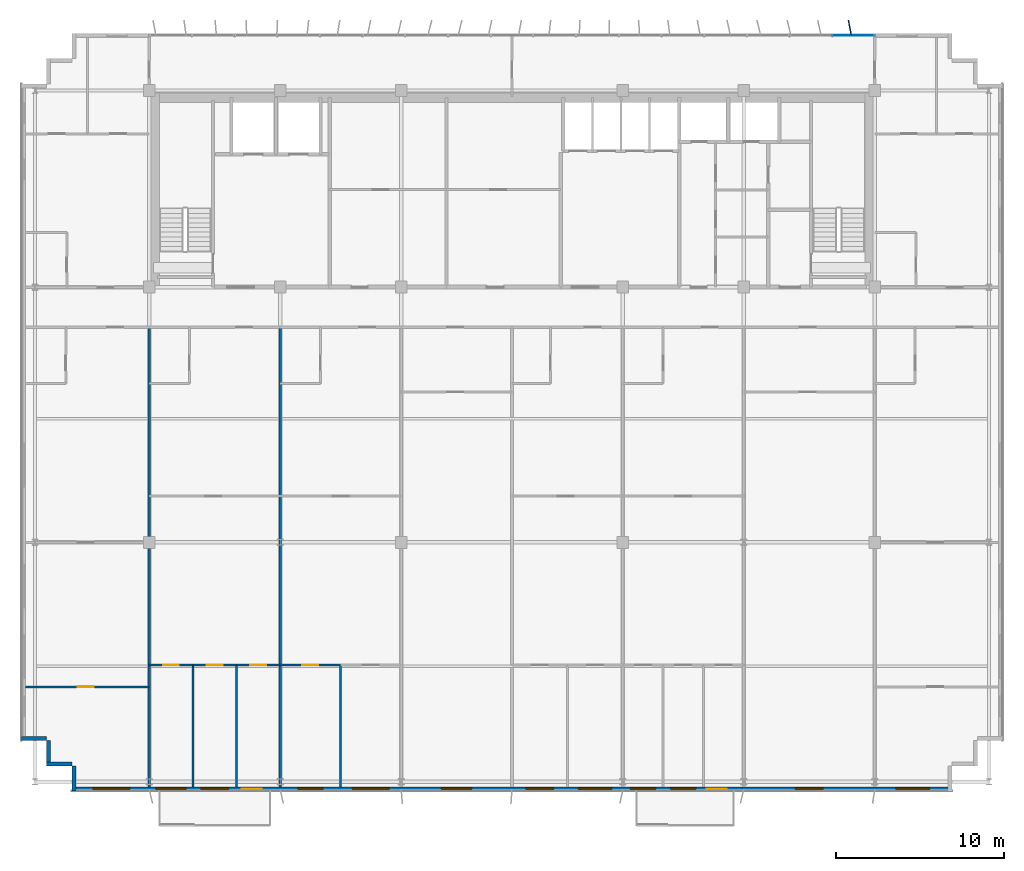
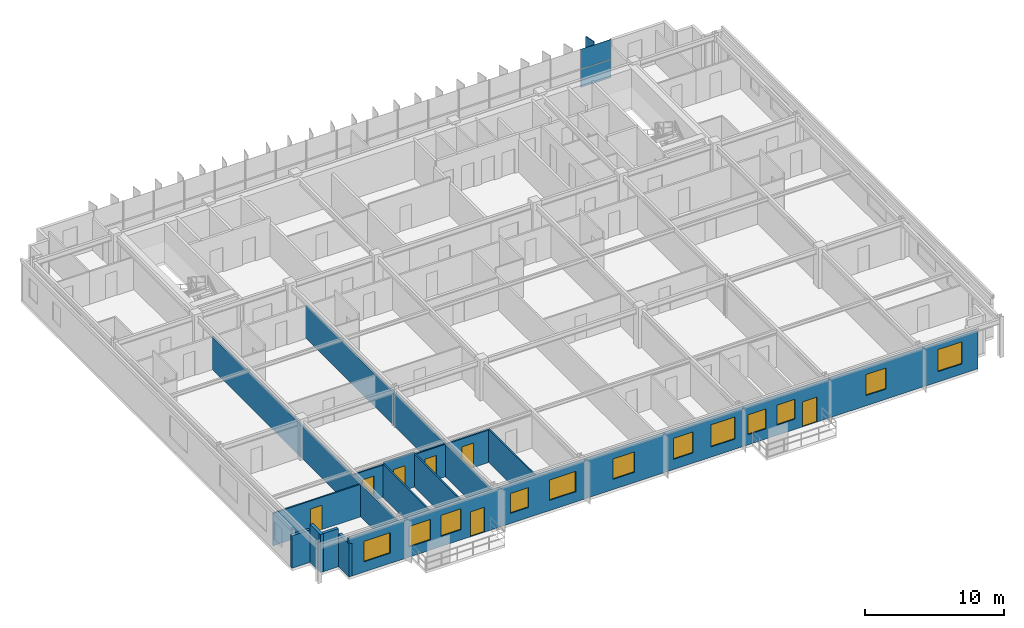
# One storey, part 16 of 23: 15 walls, 12 windows, 7 doors, 3 plates, 19 openings, 1 element without a shape of its own.
"""IFC4 building model written with IfcOpenShell, lengths in metres."""

from ifc_helpers import new_model, si_unit, direction, frame, frame_2d, origin, origin_2d, place, context, subcontext, project, spatial, rectangle, extrude, source, transform, mapped, material, layer, layer_set, type_object, element, fill, aggregate, save


model = new_model("IFC4")

# Units and contexts
model_context = context("Model", 3, precision=1e-05, world=origin(), true_north=direction((0.0, 1.0)))
body_context = subcontext(model_context, "Body", "Model", "MODEL_VIEW")
ifc_project = project(units=[si_unit("LENGTHUNIT", "METRE"), si_unit("AREAUNIT", "SQUARE_METRE"), si_unit("VOLUMEUNIT", "CUBIC_METRE"), si_unit("PLANEANGLEUNIT", "RADIAN"), si_unit("MASSUNIT", "GRAM", prefix="KILO")], contexts=[model_context])

# Site, building, storey
site_placement = place(None, origin())
site = spatial("IfcSite", under=ifc_project, at=site_placement, CompositionType="ELEMENT")
building_placement = place(site_placement, origin())
building = spatial("IfcBuilding", under=site, at=building_placement, Name="Trelvane Seafront Commons", CompositionType="ELEMENT")
storey_placement = place(building_placement, frame((0.0, 0.0, 222.89990234375)))
storey = spatial("IfcBuildingStorey", under=building, at=storey_placement, Name="L58", CompositionType="ELEMENT", Elevation=222.89990234375)

# Plate
ifc_material_1 = material(Name="Anodised pale-silver aluminium", Category="aluminium")
ifc_layer_1 = layer(ifc_material_1, 0.06005859375, Name="ARCH-PLATE-FIN900")
ifc_layer_set_1 = layer_set([ifc_layer_1], Name="Anodised pale-silver aluminium")
plate_type_1 = type_object("IfcPlateType", Name="ARCH-PLATE-FIN900", PredefinedType="USERDEFINED", material=ifc_layer_set_1)
shared_shape_1 = source(origin(), body_context, "Body", "SweptSolid", [
    extrude(rectangle(XDim=0.89990234375, YDim=0.06005859375, at=origin_2d()), origin(), (0.0, 0.0, 1.0), 3.639892578125),
])
plate_1_placement = place(storey_placement, frame((57.31396484375, 48.841796875, -0.02001953125), z_axis=(0.0, 0.0, 1.0), x_axis=(-0.191220161658, 0.981547171447, 0.0)))
element("IfcPlate", 1, at=plate_1_placement, inside=storey, type_object=plate_type_1, Name="FIN-L58-01627", ObjectType="FIN", PredefinedType="USERDEFINED", context=body_context, shape_type="MappedRepresentation", body=[
    mapped(shared_shape_1, transform((0.0, 0.0, 0.0), x_axis=(1.0, 0.0, 0.0), y_axis=(0.0, 1.0, 0.0), z_axis=(0.0, 0.0, 1.0), scale=1.0)),
])

# Curtain wall, plates
curtain_wall_type = type_object("IfcCurtainWallType", Name="ARCH-CW5-UPTOWER", PredefinedType="NOTDEFINED", material=ifc_material_1)
curtain_wall_placement = place(storey_placement, origin())
curtain_wall = element("IfcCurtainWall", 2, at=curtain_wall_placement, inside=storey, type_object=curtain_wall_type, Name="CW-L58-0101", PredefinedType="NOTDEFINED")
ifc_material_2 = material(Name="Low-E coastal double glazing", Category="glass")
ifc_layer_2 = layer(ifc_material_2, 0.033935546875, Name="ARCH-CW-GLAZ-34")
ifc_layer_set_2 = layer_set([ifc_layer_2], Name="Low-E coastal double glazing")
plate_type_2 = type_object("IfcPlateType", Name="ARCH-CW-GLAZ-34", PredefinedType="CURTAIN_PANEL", material=ifc_layer_set_2)
shared_shape_2 = source(origin(), body_context, "Body", "SweptSolid", [
    extrude(rectangle(XDim=2.51708984375, YDim=0.033935546875, at=origin_2d()), origin(), (0.0, 0.0, 1.0), 1.594970703125),
])
plate_2_placement = place(storey_placement, frame((57.529296875, 48.3701171875, 0.0), z_axis=(0.0, 0.0, 1.0), x_axis=(1.0, 0.0, 0.0)))
plate_2 = element("IfcPlate", 3, at=plate_2_placement, type_object=plate_type_2, Name="CW-L58-0101-P16-1", PredefinedType="CURTAIN_PANEL", context=body_context, shape_type="MappedRepresentation", body=[
    mapped(shared_shape_2, transform((0.0, 0.0, 0.0), x_axis=(1.0, 0.0, 0.0), y_axis=(0.0, 1.0, 0.0), z_axis=(0.0, 0.0, 1.0), scale=1.0)),
])
shared_shape_3 = source(origin(), body_context, "Body", "SweptSolid", [
    extrude(rectangle(XDim=2.51708984375, YDim=0.033935546875, at=origin_2d()), origin(), (0.0, 0.0, 1.0), 1.72900390625),
])
plate_3_placement = place(storey_placement, frame((57.529296875, 48.3701171875, 1.631103515625), z_axis=(0.0, 0.0, 1.0), x_axis=(1.0, 0.0, 0.0)))
plate_3 = element("IfcPlate", 4, at=plate_3_placement, type_object=plate_type_2, Name="CW-L58-0101-P16-2", PredefinedType="CURTAIN_PANEL", context=body_context, shape_type="MappedRepresentation", body=[
    mapped(shared_shape_3, transform((0.0, 0.0, 0.0), x_axis=(1.0, 0.0, 0.0), y_axis=(0.0, 1.0, 0.0), z_axis=(0.0, 0.0, 1.0), scale=1.0)),
])
aggregate(curtain_wall, [plate_2, plate_3])

# Walls
ifc_material_3 = material(Name="Precast concrete C40/50", Category="concrete")
ifc_layer_3 = layer(ifc_material_3, 0.239990234375, Name="ARCH-WALL-EXT240")
ifc_layer_set_3 = layer_set([ifc_layer_3], Name="Precast concrete C40/50")
wall_type_1 = type_object("IfcWallType", Name="ARCH-WALL-EXT240", PredefinedType="SOLIDWALL", material=ifc_layer_set_3)
for number, where, z_axis, x_axis, name in (
    (5, (11.0, 5.02001953125, 0.0), (0.0, 0.0, 1.0), (-1.0, 0.0, 0.0), "EW-L58-01164"),
    (6, (9.6201171875, 4.89990234375, 0.0), (0.0, 0.0, 1.0), (0.0, 1.0, 0.0), "EW-L58-01165"),
):
    element("IfcWall", number, at=place(storey_placement, frame(where, z_axis=z_axis, x_axis=x_axis)), inside=storey, type_object=wall_type_1, Name=name, PredefinedType="SOLIDWALL", context=body_context, shape_type="SweptSolid", body=[
        extrude(rectangle(XDim=1.5, YDim=0.239990234375, at=frame_2d((0.75, 0.0))), origin(), (0.0, 0.0, 1.0), 3.360107421875),
    ])
wall_1_placement = place(storey_placement, frame((9.5, 6.52001953125, 0.0), z_axis=(0.0, 0.0, 1.0), x_axis=(-1.0, 0.0, 0.0)))
element("IfcWall", 7, at=wall_1_placement, inside=storey, type_object=wall_type_1, Name="EW-L58-01166", PredefinedType="SOLIDWALL", context=body_context, shape_type="SweptSolid", body=[
    extrude(rectangle(XDim=1.5, YDim=0.239990234375, at=frame_2d((0.75, 0.0))), origin(), (0.0, 0.0, 1.0), 2.860107421875),
])

# Wall, openings, doors, windows
wall_2_placement = place(storey_placement, frame((63.39990234375, 3.52001953125, 0.0), z_axis=(0.0, 0.0, 1.0), x_axis=(-1.0, 0.0, 0.0)))
wall_2 = element("IfcWall", 8, at=wall_2_placement, inside=storey, type_object=wall_type_1, Name="EW-L58-01181", PredefinedType="SOLIDWALL", context=body_context, shape_type="SweptSolid", body=[
    extrude(rectangle(XDim=52.39990234375, YDim=0.239990234375, at=frame_2d((26.199951171875, 0.0))), origin(), (0.0, 0.0, 1.0), 3.360107421875),
])
opening_1_placement = place(wall_2_placement, frame((1.344970703125, 0.0, 0.89990234375)))
opening_1 = element("IfcOpeningElement", 9, at=opening_1_placement, cuts=wall_2, Name="Opening W06", PredefinedType="OPENING", context=body_context, shape_type="SweptSolid", body=[
    extrude(rectangle(XDim=2.0, YDim=1.949951171875, at=frame_2d((1.0, 0.97509765625))), frame((0.0, 0.1298828125, 0.0), z_axis=(0.0, -1.0, 0.0), x_axis=(1.0, 0.0, 0.0)), (0.0, 0.0, 1.0), 0.260009765625),
])
opening_2_placement = place(wall_2_placement, frame((7.675048828125, 0.0, 0.89990234375)))
opening_2 = element("IfcOpeningElement", 10, at=opening_2_placement, cuts=wall_2, Name="Opening W07", PredefinedType="OPENING", context=body_context, shape_type="SweptSolid", body=[
    extrude(rectangle(XDim=1.64990234375, YDim=1.85009765625, at=frame_2d((0.824951171875, 0.925048828125))), frame((0.0, 0.1298828125, 0.0), z_axis=(0.0, -1.0, 0.0), x_axis=(1.0, 0.0, 0.0)), (0.0, 0.0, 1.0), 0.260009765625),
])
opening_3_placement = place(wall_2_placement, frame((13.419921875, 0.0, 0.0)))
opening_3 = element("IfcOpeningElement", 11, at=opening_3_placement, cuts=wall_2, Name="Opening BD-L58-122", PredefinedType="OPENING", context=body_context, shape_type="SweptSolid", body=[
    extrude(rectangle(XDim=1.199951171875, YDim=2.199951171875, at=frame_2d((0.60009765625, 1.10009765625))), frame((0.0, 0.1298828125, 0.0), z_axis=(0.0, -1.0, 0.0), x_axis=(1.0, 0.0, 0.0)), (0.0, 0.0, 1.0), 0.260009765625),
])
opening_4_placement = place(wall_2_placement, frame((15.25, 0.0, 0.89990234375)))
opening_4 = element("IfcOpeningElement", 12, at=opening_4_placement, cuts=wall_2, Name="Opening W03", PredefinedType="OPENING", context=body_context, shape_type="SweptSolid", body=[
    extrude(rectangle(XDim=1.5, YDim=1.75, at=frame_2d((0.75, 0.875))), frame((0.0, 0.1298828125, 0.0), z_axis=(0.0, -1.0, 0.0), x_axis=(1.0, 0.0, 0.0)), (0.0, 0.0, 1.0), 0.260009765625),
])
opening_5_placement = place(wall_2_placement, frame((17.64990234375, 0.0, 0.89990234375)))
opening_5 = element("IfcOpeningElement", 13, at=opening_5_placement, cuts=wall_2, Name="Opening W03", PredefinedType="OPENING", context=body_context, shape_type="SweptSolid", body=[
    extrude(rectangle(XDim=1.5, YDim=1.75, at=frame_2d((0.75, 0.875))), frame((0.0, 0.1298828125, 0.0), z_axis=(0.0, -1.0, 0.0), x_axis=(1.0, 0.0, 0.0)), (0.0, 0.0, 1.0), 0.260009765625),
])
opening_6_placement = place(wall_2_placement, frame((20.25, 0.0, 0.89990234375)))
opening_6 = element("IfcOpeningElement", 14, at=opening_6_placement, cuts=wall_2, Name="Opening W06", PredefinedType="OPENING", context=body_context, shape_type="SweptSolid", body=[
    extrude(rectangle(XDim=2.0, YDim=1.949951171875, at=frame_2d((1.0, 0.97509765625))), frame((0.0, 0.1298828125, 0.0), z_axis=(0.0, -1.0, 0.0), x_axis=(1.0, 0.0, 0.0)), (0.0, 0.0, 1.0), 0.260009765625),
])
opening_7_placement = place(wall_2_placement, frame((23.72509765625, 0.0, 0.89990234375)))
opening_7 = element("IfcOpeningElement", 15, at=opening_7_placement, cuts=wall_2, Name="Opening W07", PredefinedType="OPENING", context=body_context, shape_type="SweptSolid", body=[
    extrude(rectangle(XDim=1.64990234375, YDim=1.85009765625, at=frame_2d((0.824951171875, 0.925048828125))), frame((0.0, 0.1298828125, 0.0), z_axis=(0.0, -1.0, 0.0), x_axis=(1.0, 0.0, 0.0)), (0.0, 0.0, 1.0), 0.260009765625),
])
opening_8_placement = place(wall_2_placement, frame((28.60009765625, 0.0, 0.89990234375)))
opening_8 = element("IfcOpeningElement", 16, at=opening_8_placement, cuts=wall_2, Name="Opening W01", PredefinedType="OPENING", context=body_context, shape_type="SweptSolid", body=[
    extrude(rectangle(XDim=1.800048828125, YDim=1.800048828125, at=frame_2d((0.89990234375, 0.89990234375))), frame((0.0, 0.1298828125, 0.0), z_axis=(0.0, -1.0, 0.0), x_axis=(1.0, 0.0, 0.0)), (0.0, 0.0, 1.0), 0.260009765625),
])
opening_9_placement = place(wall_2_placement, frame((33.5, 0.0, 0.89990234375)))
opening_9 = element("IfcOpeningElement", 17, at=opening_9_placement, cuts=wall_2, Name="Opening W02", PredefinedType="OPENING", context=body_context, shape_type="SweptSolid", body=[
    extrude(rectangle(XDim=2.199951171875, YDim=1.800048828125, at=frame_2d((1.10009765625, 0.89990234375))), frame((0.0, 0.1298828125, 0.0), z_axis=(0.0, -1.0, 0.0), x_axis=(1.0, 0.0, 0.0)), (0.0, 0.0, 1.0), 0.260009765625),
])
opening_10_placement = place(wall_2_placement, frame((37.449951171875, 0.0, 0.89990234375)))
opening_10 = element("IfcOpeningElement", 18, at=opening_10_placement, cuts=wall_2, Name="Opening W03", PredefinedType="OPENING", context=body_context, shape_type="SweptSolid", body=[
    extrude(rectangle(XDim=1.5, YDim=1.75, at=frame_2d((0.75, 0.875))), frame((0.0, 0.1298828125, 0.0), z_axis=(0.0, -1.0, 0.0), x_axis=(1.0, 0.0, 0.0)), (0.0, 0.0, 1.0), 0.260009765625),
])
opening_11_placement = place(wall_2_placement, frame((41.090087890625, 0.0, 0.0)))
opening_11 = element("IfcOpeningElement", 19, at=opening_11_placement, cuts=wall_2, Name="Opening BD-L58-123", PredefinedType="OPENING", context=body_context, shape_type="SweptSolid", body=[
    extrude(rectangle(XDim=1.199951171875, YDim=2.199951171875, at=frame_2d((0.60009765625, 1.10009765625))), frame((0.0, 0.1298828125, 0.0), z_axis=(0.0, -1.0, 0.0), x_axis=(1.0, 0.0, 0.0)), (0.0, 0.0, 1.0), 0.260009765625),
])
opening_12_placement = place(wall_2_placement, frame((43.074951171875, 0.0, 0.89990234375)))
opening_12 = element("IfcOpeningElement", 20, at=opening_12_placement, cuts=wall_2, Name="Opening W07", PredefinedType="OPENING", context=body_context, shape_type="SweptSolid", body=[
    extrude(rectangle(XDim=1.64990234375, YDim=1.85009765625, at=frame_2d((0.824951171875, 0.925048828125))), frame((0.0, 0.1298828125, 0.0), z_axis=(0.0, -1.0, 0.0), x_axis=(1.0, 0.0, 0.0)), (0.0, 0.0, 1.0), 0.260009765625),
])
opening_13_placement = place(wall_2_placement, frame((45.60009765625, 0.0, 0.89990234375)))
opening_13 = element("IfcOpeningElement", 21, at=opening_13_placement, cuts=wall_2, Name="Opening W01", PredefinedType="OPENING", context=body_context, shape_type="SweptSolid", body=[
    extrude(rectangle(XDim=1.800048828125, YDim=1.800048828125, at=frame_2d((0.89990234375, 0.89990234375))), frame((0.0, 0.1298828125, 0.0), z_axis=(0.0, -1.0, 0.0), x_axis=(1.0, 0.0, 0.0)), (0.0, 0.0, 1.0), 0.260009765625),
])
opening_14_placement = place(wall_2_placement, frame((48.955078125, 0.0, 0.89990234375)))
opening_14 = element("IfcOpeningElement", 22, at=opening_14_placement, cuts=wall_2, Name="Opening W02", PredefinedType="OPENING", context=body_context, shape_type="SweptSolid", body=[
    extrude(rectangle(XDim=2.199951171875, YDim=1.800048828125, at=frame_2d((1.10009765625, 0.89990234375))), frame((0.0, 0.1298828125, 0.0), z_axis=(0.0, -1.0, 0.0), x_axis=(1.0, 0.0, 0.0)), (0.0, 0.0, 1.0), 0.260009765625),
])
ifc_material_4 = material(Name="Powder-coated aluminium frame", Category="aluminium")
door_type_1 = type_object("IfcDoorType", Name="ARCH-DR-BAL1200", OperationType="NOTDEFINED", PredefinedType="DOOR", material=ifc_material_4)
shared_shape_4 = source(origin(), body_context, "Body", "SweptSolid", [
    extrude(rectangle(XDim=1.199951171875, YDim=2.199951171875, at=frame_2d((0.60009765625, 1.10009765625))), frame((0.0, 0.02490234375, 0.0), z_axis=(0.0, -1.0, 0.0), x_axis=(1.0, 0.0, 0.0)), (0.0, 0.0, 1.0), 0.050048828125),
])
door_1_placement = place(opening_3_placement, origin())
door_1 = element("IfcDoor", 23, at=door_1_placement, inside=storey, type_object=door_type_1, Name="L58 Balcony Terrace Access Door", OperationType="SINGLE_SWING_LEFT", OverallHeight=2.199951171875, OverallWidth=1.199951171875, PredefinedType="DOOR", context=body_context, shape_type="MappedRepresentation", body=[
    mapped(shared_shape_4, transform((0.0, 0.0, 0.0), x_axis=(1.0, 0.0, 0.0), y_axis=(0.0, 1.0, 0.0), z_axis=(0.0, 0.0, 1.0), scale=1.0)),
])
fill(opening_3, door_1)
door_2_placement = place(opening_11_placement, origin())
door_2 = element("IfcDoor", 24, at=door_2_placement, inside=storey, type_object=door_type_1, Name="L58 Balcony Terrace Access Door", OperationType="SINGLE_SWING_LEFT", OverallHeight=2.199951171875, OverallWidth=1.199951171875, PredefinedType="DOOR", context=body_context, shape_type="MappedRepresentation", body=[
    mapped(shared_shape_4, transform((0.0, 0.0, 0.0), x_axis=(1.0, 0.0, 0.0), y_axis=(0.0, 1.0, 0.0), z_axis=(0.0, 0.0, 1.0), scale=1.0)),
])
fill(opening_11, door_2)
window_type_1 = type_object("IfcWindowType", Name="ARCH-WIN-W02", PartitioningType="SINGLE_PANEL", PredefinedType="WINDOW", material=ifc_material_2)
shared_shape_5 = source(origin(), body_context, "Body", "SweptSolid", [
    extrude(rectangle(XDim=2.199951171875, YDim=1.800048828125, at=frame_2d((1.10009765625, 0.89990234375))), frame((0.0, 0.030029296875, 0.0), z_axis=(0.0, -1.0, 0.0), x_axis=(1.0, 0.0, 0.0)), (0.0, 0.0, 1.0), 0.06005859375),
])
window_1_placement = place(opening_9_placement, origin())
window_1 = element("IfcWindow", 25, at=window_1_placement, inside=storey, type_object=window_type_1, Name="WIN-L58-01431", OverallHeight=1.800048828125, OverallWidth=2.199951171875, PartitioningType="SINGLE_PANEL", PredefinedType="WINDOW", context=body_context, shape_type="MappedRepresentation", body=[
    mapped(shared_shape_5, transform((0.0, 0.0, 0.0), x_axis=(1.0, 0.0, 0.0), y_axis=(0.0, 1.0, 0.0), z_axis=(0.0, 0.0, 1.0), scale=1.0)),
])
fill(opening_9, window_1)
window_2_placement = place(opening_14_placement, origin())
window_2 = element("IfcWindow", 26, at=window_2_placement, inside=storey, type_object=window_type_1, Name="WIN-L58-01435", OverallHeight=1.800048828125, OverallWidth=2.199951171875, PartitioningType="SINGLE_PANEL", PredefinedType="WINDOW", context=body_context, shape_type="MappedRepresentation", body=[
    mapped(shared_shape_5, transform((0.0, 0.0, 0.0), x_axis=(1.0, 0.0, 0.0), y_axis=(0.0, 1.0, 0.0), z_axis=(0.0, 0.0, 1.0), scale=1.0)),
])
fill(opening_14, window_2)
window_type_2 = type_object("IfcWindowType", Name="ARCH-WIN-W03", PartitioningType="SINGLE_PANEL", PredefinedType="WINDOW", material=ifc_material_2)
shared_shape_6 = source(origin(), body_context, "Body", "SweptSolid", [
    extrude(rectangle(XDim=1.5, YDim=1.75, at=frame_2d((0.75, 0.875))), frame((0.0, 0.030029296875, 0.0), z_axis=(0.0, -1.0, 0.0), x_axis=(1.0, 0.0, 0.0)), (0.0, 0.0, 1.0), 0.06005859375),
])
window_3_placement = place(opening_4_placement, origin())
window_3 = element("IfcWindow", 27, at=window_3_placement, inside=storey, type_object=window_type_2, Name="WIN-L58-01426", OverallHeight=1.75, OverallWidth=1.5, PartitioningType="SINGLE_PANEL", PredefinedType="WINDOW", context=body_context, shape_type="MappedRepresentation", body=[
    mapped(shared_shape_6, transform((0.0, 0.0, 0.0), x_axis=(1.0, 0.0, 0.0), y_axis=(0.0, 1.0, 0.0), z_axis=(0.0, 0.0, 1.0), scale=1.0)),
])
fill(opening_4, window_3)
window_4_placement = place(opening_5_placement, origin())
window_4 = element("IfcWindow", 28, at=window_4_placement, inside=storey, type_object=window_type_2, Name="WIN-L58-01427", OverallHeight=1.75, OverallWidth=1.5, PartitioningType="SINGLE_PANEL", PredefinedType="WINDOW", context=body_context, shape_type="MappedRepresentation", body=[
    mapped(shared_shape_6, transform((0.0, 0.0, 0.0), x_axis=(1.0, 0.0, 0.0), y_axis=(0.0, 1.0, 0.0), z_axis=(0.0, 0.0, 1.0), scale=1.0)),
])
fill(opening_5, window_4)
window_5_placement = place(opening_10_placement, origin())
window_5 = element("IfcWindow", 29, at=window_5_placement, inside=storey, type_object=window_type_2, Name="WIN-L58-01432", OverallHeight=1.75, OverallWidth=1.5, PartitioningType="SINGLE_PANEL", PredefinedType="WINDOW", context=body_context, shape_type="MappedRepresentation", body=[
    mapped(shared_shape_6, transform((0.0, 0.0, 0.0), x_axis=(1.0, 0.0, 0.0), y_axis=(0.0, 1.0, 0.0), z_axis=(0.0, 0.0, 1.0), scale=1.0)),
])
fill(opening_10, window_5)
window_type_3 = type_object("IfcWindowType", Name="ARCH-WIN-W06", PartitioningType="SINGLE_PANEL", PredefinedType="WINDOW", material=ifc_material_2)
shared_shape_7 = source(origin(), body_context, "Body", "SweptSolid", [
    extrude(rectangle(XDim=2.0, YDim=1.949951171875, at=frame_2d((1.0, 0.97509765625))), frame((0.0, 0.030029296875, 0.0), z_axis=(0.0, -1.0, 0.0), x_axis=(1.0, 0.0, 0.0)), (0.0, 0.0, 1.0), 0.06005859375),
])
window_6_placement = place(opening_1_placement, origin())
window_6 = element("IfcWindow", 30, at=window_6_placement, inside=storey, type_object=window_type_3, Name="WIN-L58-01424", OverallHeight=1.949951171875, OverallWidth=2.0, PartitioningType="SINGLE_PANEL", PredefinedType="WINDOW", context=body_context, shape_type="MappedRepresentation", body=[
    mapped(shared_shape_7, transform((0.0, 0.0, 0.0), x_axis=(1.0, 0.0, 0.0), y_axis=(0.0, 1.0, 0.0), z_axis=(0.0, 0.0, 1.0), scale=1.0)),
])
fill(opening_1, window_6)
window_7_placement = place(opening_6_placement, origin())
window_7 = element("IfcWindow", 31, at=window_7_placement, inside=storey, type_object=window_type_3, Name="WIN-L58-01428", OverallHeight=1.949951171875, OverallWidth=2.0, PartitioningType="SINGLE_PANEL", PredefinedType="WINDOW", context=body_context, shape_type="MappedRepresentation", body=[
    mapped(shared_shape_7, transform((0.0, 0.0, 0.0), x_axis=(1.0, 0.0, 0.0), y_axis=(0.0, 1.0, 0.0), z_axis=(0.0, 0.0, 1.0), scale=1.0)),
])
fill(opening_6, window_7)
window_type_4 = type_object("IfcWindowType", Name="ARCH-WIN-W01", PartitioningType="SINGLE_PANEL", PredefinedType="WINDOW", material=ifc_material_2)
shared_shape_8 = source(origin(), body_context, "Body", "SweptSolid", [
    extrude(rectangle(XDim=1.800048828125, YDim=1.800048828125, at=frame_2d((0.89990234375, 0.89990234375))), frame((0.0, 0.030029296875, 0.0), z_axis=(0.0, -1.0, 0.0), x_axis=(1.0, 0.0, 0.0)), (0.0, 0.0, 1.0), 0.06005859375),
])
window_8_placement = place(opening_8_placement, origin())
window_8 = element("IfcWindow", 32, at=window_8_placement, inside=storey, type_object=window_type_4, Name="WIN-L58-01430", OverallHeight=1.800048828125, OverallWidth=1.800048828125, PartitioningType="SINGLE_PANEL", PredefinedType="WINDOW", context=body_context, shape_type="MappedRepresentation", body=[
    mapped(shared_shape_8, transform((0.0, 0.0, 0.0), x_axis=(1.0, 0.0, 0.0), y_axis=(0.0, 1.0, 0.0), z_axis=(0.0, 0.0, 1.0), scale=1.0)),
])
fill(opening_8, window_8)
window_9_placement = place(opening_13_placement, origin())
window_9 = element("IfcWindow", 33, at=window_9_placement, inside=storey, type_object=window_type_4, Name="WIN-L58-01434", OverallHeight=1.800048828125, OverallWidth=1.800048828125, PartitioningType="SINGLE_PANEL", PredefinedType="WINDOW", context=body_context, shape_type="MappedRepresentation", body=[
    mapped(shared_shape_8, transform((0.0, 0.0, 0.0), x_axis=(1.0, 0.0, 0.0), y_axis=(0.0, 1.0, 0.0), z_axis=(0.0, 0.0, 1.0), scale=1.0)),
])
fill(opening_13, window_9)
window_type_5 = type_object("IfcWindowType", Name="ARCH-WIN-W07", PartitioningType="SINGLE_PANEL", PredefinedType="WINDOW", material=ifc_material_2)
shared_shape_9 = source(origin(), body_context, "Body", "SweptSolid", [
    extrude(rectangle(XDim=1.64990234375, YDim=1.85009765625, at=frame_2d((0.824951171875, 0.925048828125))), frame((0.0, 0.030029296875, 0.0), z_axis=(0.0, -1.0, 0.0), x_axis=(1.0, 0.0, 0.0)), (0.0, 0.0, 1.0), 0.06005859375),
])
window_10_placement = place(opening_2_placement, origin())
window_10 = element("IfcWindow", 34, at=window_10_placement, inside=storey, type_object=window_type_5, Name="WIN-L58-01425", OverallHeight=1.85009765625, OverallWidth=1.64990234375, PartitioningType="SINGLE_PANEL", PredefinedType="WINDOW", context=body_context, shape_type="MappedRepresentation", body=[
    mapped(shared_shape_9, transform((0.0, 0.0, 0.0), x_axis=(1.0, 0.0, 0.0), y_axis=(0.0, 1.0, 0.0), z_axis=(0.0, 0.0, 1.0), scale=1.0)),
])
fill(opening_2, window_10)
window_11_placement = place(opening_7_placement, origin())
window_11 = element("IfcWindow", 35, at=window_11_placement, inside=storey, type_object=window_type_5, Name="WIN-L58-01429", OverallHeight=1.85009765625, OverallWidth=1.64990234375, PartitioningType="SINGLE_PANEL", PredefinedType="WINDOW", context=body_context, shape_type="MappedRepresentation", body=[
    mapped(shared_shape_9, transform((0.0, 0.0, 0.0), x_axis=(1.0, 0.0, 0.0), y_axis=(0.0, 1.0, 0.0), z_axis=(0.0, 0.0, 1.0), scale=1.0)),
])
fill(opening_7, window_11)
window_12_placement = place(opening_12_placement, origin())
window_12 = element("IfcWindow", 36, at=window_12_placement, inside=storey, type_object=window_type_5, Name="WIN-L58-01433", OverallHeight=1.85009765625, OverallWidth=1.64990234375, PartitioningType="SINGLE_PANEL", PredefinedType="WINDOW", context=body_context, shape_type="MappedRepresentation", body=[
    mapped(shared_shape_9, transform((0.0, 0.0, 0.0), x_axis=(1.0, 0.0, 0.0), y_axis=(0.0, 1.0, 0.0), z_axis=(0.0, 0.0, 1.0), scale=1.0)),
])
fill(opening_12, window_12)

# Wall
wall_3_placement = place(storey_placement, frame((11.1201171875, 3.39990234375, 0.0), z_axis=(0.0, 0.0, 1.0), x_axis=(0.0, 1.0, 0.0)))
element("IfcWall", 37, at=wall_3_placement, inside=storey, type_object=wall_type_1, Name="EW-L58-01182", PredefinedType="SOLIDWALL", context=body_context, shape_type="SweptSolid", body=[
    extrude(rectangle(XDim=1.5, YDim=0.239990234375, at=frame_2d((0.75, 0.0))), origin(), (0.0, 0.0, 1.0), 2.91015625),
])

# Wall, opening, door
ifc_material_5 = material(Name="Gypsum Drywall Acoustic Partition")
ifc_layer_4 = layer(ifc_material_5, 0.1201171875, Name="ARCH-WALL-PART120")
ifc_layer_set_4 = layer_set([ifc_layer_4], Name="Gypsum Drywall Acoustic Partition")
wall_type_2 = type_object("IfcWallType", Name="ARCH-WALL-PART120", PredefinedType="PARTITIONING", material=ifc_layer_set_4)
wall_4_placement = place(storey_placement, frame((8.239990234375, 9.60009765625, 0.0), z_axis=(0.0, 0.0, 1.0), x_axis=(1.0, 0.0, 0.0)))
wall_4 = element("IfcWall", 38, at=wall_4_placement, inside=storey, type_object=wall_type_2, Name="W-L58-U1-YM-1-062", PredefinedType="PARTITIONING", context=body_context, shape_type="SweptSolid", body=[
    extrude(rectangle(XDim=7.360107421875, YDim=0.1201171875, at=frame_2d((3.68017578125, 0.0))), origin(), (0.0, 0.0, 1.0), 2.860107421875),
])
opening_15_placement = place(wall_4_placement, frame((3.114013671875, 0.0, 0.0)))
opening_15 = element("IfcOpeningElement", 39, at=opening_15_placement, cuts=wall_4, Name="Opening D-L58-37", PredefinedType="OPENING", context=body_context, shape_type="SweptSolid", body=[
    extrude(rectangle(XDim=0.949951171875, YDim=2.14990234375, at=frame_2d((0.47509765625, 1.074951171875))), frame((0.0, 0.070068359375, 0.0), z_axis=(0.0, -1.0, 0.0), x_axis=(1.0, 0.0, 0.0)), (0.0, 0.0, 1.0), 0.14013671875),
])
ifc_material_6 = material(Name="Acoustic timber door leaf", Category="wood")
door_type_2 = type_object("IfcDoorType", Name="ARCH-DR-INT950", OperationType="NOTDEFINED", PredefinedType="DOOR", material=ifc_material_6)
shared_shape_10 = source(origin(), body_context, "Body", "SweptSolid", [
    extrude(rectangle(XDim=0.949951171875, YDim=2.14990234375, at=frame_2d((0.47509765625, 1.074951171875))), frame((0.0, 0.02490234375, 0.0), z_axis=(0.0, -1.0, 0.0), x_axis=(1.0, 0.0, 0.0)), (0.0, 0.0, 1.0), 0.050048828125),
])
door_3_placement = place(opening_15_placement, origin())
door_3 = element("IfcDoor", 40, at=door_3_placement, inside=storey, type_object=door_type_2, Name="L58 Door 37", OperationType="SINGLE_SWING_LEFT", OverallHeight=2.14990234375, OverallWidth=0.949951171875, PredefinedType="DOOR", context=body_context, shape_type="MappedRepresentation", body=[
    mapped(shared_shape_10, transform((0.0, 0.0, 0.0), x_axis=(1.0, 0.0, 0.0), y_axis=(0.0, 1.0, 0.0), z_axis=(0.0, 0.0, 1.0), scale=1.0)),
])
fill(opening_15, door_3)

wall_5_placement = place(storey_placement, frame((15.60009765625, 10.89990234375, 0.0), z_axis=(0.0, 0.0, 1.0), x_axis=(1.0, 0.0, 0.0)))
wall_5 = element("IfcWall", 41, at=wall_5_placement, inside=storey, type_object=wall_type_2, Name="W-L58-U2-YM-1-067", PredefinedType="PARTITIONING", context=body_context, shape_type="SweptSolid", body=[
    extrude(rectangle(XDim=2.599853515625, YDim=0.1201171875, at=frame_2d((1.2998046875, 0.0))), origin(), (0.0, 0.0, 1.0), 2.860107421875),
])
opening_16_placement = place(wall_5_placement, frame((0.824951171875, 0.0, 0.0)))
opening_16 = element("IfcOpeningElement", 42, at=opening_16_placement, cuts=wall_5, Name="Opening D-L58-41", PredefinedType="OPENING", context=body_context, shape_type="SweptSolid", body=[
    extrude(rectangle(XDim=0.949951171875, YDim=2.14990234375, at=frame_2d((0.47509765625, 1.074951171875))), frame((0.0, 0.070068359375, 0.0), z_axis=(0.0, -1.0, 0.0), x_axis=(1.0, 0.0, 0.0)), (0.0, 0.0, 1.0), 0.14013671875),
])
door_4_placement = place(opening_16_placement, origin())
door_4 = element("IfcDoor", 43, at=door_4_placement, inside=storey, type_object=door_type_2, Name="L58 Door 41", OperationType="SINGLE_SWING_LEFT", OverallHeight=2.14990234375, OverallWidth=0.949951171875, PredefinedType="DOOR", context=body_context, shape_type="MappedRepresentation", body=[
    mapped(shared_shape_10, transform((0.0, 0.0, 0.0), x_axis=(1.0, 0.0, 0.0), y_axis=(0.0, 1.0, 0.0), z_axis=(0.0, 0.0, 1.0), scale=1.0)),
])
fill(opening_16, door_4)

wall_6_placement = place(storey_placement, frame((18.199951171875, 10.89990234375, 0.0), z_axis=(0.0, 0.0, 1.0), x_axis=(1.0, 0.0, 0.0)))
wall_6 = element("IfcWall", 44, at=wall_6_placement, inside=storey, type_object=wall_type_2, Name="W-L58-U2-YM-2-068", PredefinedType="PARTITIONING", context=body_context, shape_type="SweptSolid", body=[
    extrude(rectangle(XDim=2.60009765625, YDim=0.1201171875, at=frame_2d((1.300048828125, 0.0))), origin(), (0.0, 0.0, 1.0), 3.06005859375),
])
opening_17_placement = place(wall_6_placement, frame((0.824951171875, 0.0, 0.0)))
opening_17 = element("IfcOpeningElement", 45, at=opening_17_placement, cuts=wall_6, Name="Opening D-L58-42", PredefinedType="OPENING", context=body_context, shape_type="SweptSolid", body=[
    extrude(rectangle(XDim=0.949951171875, YDim=2.14990234375, at=frame_2d((0.47509765625, 1.074951171875))), frame((0.0, 0.070068359375, 0.0), z_axis=(0.0, -1.0, 0.0), x_axis=(1.0, 0.0, 0.0)), (0.0, 0.0, 1.0), 0.14013671875),
])
door_5_placement = place(opening_17_placement, origin())
door_5 = element("IfcDoor", 46, at=door_5_placement, inside=storey, type_object=door_type_2, Name="L58 Door 42", OperationType="SINGLE_SWING_RIGHT", OverallHeight=2.14990234375, OverallWidth=0.949951171875, PredefinedType="DOOR", context=body_context, shape_type="MappedRepresentation", body=[
    mapped(shared_shape_10, transform((0.0, 0.0, 0.0), x_axis=(1.0, 0.0, 0.0), y_axis=(0.0, 1.0, 0.0), z_axis=(0.0, 0.0, 1.0), scale=1.0)),
])
fill(opening_17, door_5)

# Wall
wall_7_placement = place(storey_placement, frame((18.199951171875, 3.625, 0.0), z_axis=(0.0, 0.0, 1.0), x_axis=(0.0, 1.0, 0.0)))
element("IfcWall", 47, at=wall_7_placement, inside=storey, type_object=wall_type_2, Name="W-L58-U2-BDV-1-069", PredefinedType="PARTITIONING", context=body_context, shape_type="SweptSolid", body=[
    extrude(rectangle(XDim=7.27490234375, YDim=0.1201171875, at=frame_2d((3.637451171875, 0.0))), origin(), (0.0, 0.0, 1.0), 2.91015625),
])

# Wall, opening, door
wall_8_placement = place(storey_placement, frame((20.800048828125, 10.89990234375, 0.0), z_axis=(0.0, 0.0, 1.0), x_axis=(1.0, 0.0, 0.0)))
wall_8 = element("IfcWall", 48, at=wall_8_placement, inside=storey, type_object=wall_type_2, Name="W-L58-U2-YM-3-070", PredefinedType="PARTITIONING", context=body_context, shape_type="SweptSolid", body=[
    extrude(rectangle(XDim=2.599853515625, YDim=0.1201171875, at=frame_2d((1.2998046875, 0.0))), origin(), (0.0, 0.0, 1.0), 2.860107421875),
])
opening_18_placement = place(wall_8_placement, frame((0.824951171875, 0.0, 0.0)))
opening_18 = element("IfcOpeningElement", 49, at=opening_18_placement, cuts=wall_8, Name="Opening D-L58-43", PredefinedType="OPENING", context=body_context, shape_type="SweptSolid", body=[
    extrude(rectangle(XDim=0.949951171875, YDim=2.14990234375, at=frame_2d((0.47509765625, 1.074951171875))), frame((0.0, 0.070068359375, 0.0), z_axis=(0.0, -1.0, 0.0), x_axis=(1.0, 0.0, 0.0)), (0.0, 0.0, 1.0), 0.14013671875),
])
door_6_placement = place(opening_18_placement, origin())
door_6 = element("IfcDoor", 50, at=door_6_placement, inside=storey, type_object=door_type_2, Name="L58 Door 43", OperationType="SINGLE_SWING_LEFT", OverallHeight=2.14990234375, OverallWidth=0.949951171875, PredefinedType="DOOR", context=body_context, shape_type="MappedRepresentation", body=[
    mapped(shared_shape_10, transform((0.0, 0.0, 0.0), x_axis=(1.0, 0.0, 0.0), y_axis=(0.0, 1.0, 0.0), z_axis=(0.0, 0.0, 1.0), scale=1.0)),
])
fill(opening_18, door_6)

# Wall
wall_9_placement = place(storey_placement, frame((20.800048828125, 3.625, 0.0), z_axis=(0.0, 0.0, 1.0), x_axis=(0.0, 1.0, 0.0)))
element("IfcWall", 51, at=wall_9_placement, inside=storey, type_object=wall_type_2, Name="W-L58-U2-BDV-2-071", PredefinedType="PARTITIONING", context=body_context, shape_type="SweptSolid", body=[
    extrude(rectangle(XDim=7.27490234375, YDim=0.1201171875, at=frame_2d((3.637451171875, 0.0))), origin(), (0.0, 0.0, 1.0), 2.91015625),
])

# Wall, opening, door
wall_10_placement = place(storey_placement, frame((23.39990234375, 10.89990234375, 0.0), z_axis=(0.0, 0.0, 1.0), x_axis=(1.0, 0.0, 0.0)))
wall_10 = element("IfcWall", 52, at=wall_10_placement, inside=storey, type_object=wall_type_2, Name="W-L58-U3-YM-1-076", PredefinedType="PARTITIONING", context=body_context, shape_type="SweptSolid", body=[
    extrude(rectangle(XDim=3.60009765625, YDim=0.1201171875, at=frame_2d((1.800048828125, 0.0))), origin(), (0.0, 0.0, 1.0), 2.860107421875),
])
opening_19_placement = place(wall_10_placement, frame((1.324951171875, 0.0, 0.0)))
opening_19 = element("IfcOpeningElement", 53, at=opening_19_placement, cuts=wall_10, Name="Opening D-L58-47", PredefinedType="OPENING", context=body_context, shape_type="SweptSolid", body=[
    extrude(rectangle(XDim=0.949951171875, YDim=2.14990234375, at=frame_2d((0.47509765625, 1.074951171875))), frame((0.0, 0.070068359375, 0.0), z_axis=(0.0, -1.0, 0.0), x_axis=(1.0, 0.0, 0.0)), (0.0, 0.0, 1.0), 0.14013671875),
])
door_7_placement = place(opening_19_placement, origin())
door_7 = element("IfcDoor", 54, at=door_7_placement, inside=storey, type_object=door_type_2, Name="L58 Door 47", OperationType="SINGLE_SWING_LEFT", OverallHeight=2.14990234375, OverallWidth=0.949951171875, PredefinedType="DOOR", context=body_context, shape_type="MappedRepresentation", body=[
    mapped(shared_shape_10, transform((0.0, 0.0, 0.0), x_axis=(1.0, 0.0, 0.0), y_axis=(0.0, 1.0, 0.0), z_axis=(0.0, 0.0, 1.0), scale=1.0)),
])
fill(opening_19, door_7)

# Walls
wall_11_placement = place(storey_placement, frame((27.0, 3.625, 0.0), z_axis=(0.0, 0.0, 1.0), x_axis=(0.0, 1.0, 0.0)))
element("IfcWall", 55, at=wall_11_placement, inside=storey, type_object=wall_type_2, Name="W-L58-U3-BDV-1-078", PredefinedType="PARTITIONING", context=body_context, shape_type="SweptSolid", body=[
    extrude(rectangle(XDim=7.27490234375, YDim=0.1201171875, at=frame_2d((3.637451171875, 0.0))), origin(), (0.0, 0.0, 1.0), 2.91015625),
])
ifc_layer_5 = layer(ifc_material_5, 0.14990234375, Name="ARCH-WALL-PART150")
ifc_layer_set_5 = layer_set([ifc_layer_5], Name="Gypsum Drywall Acoustic Partition")
wall_type_3 = type_object("IfcWallType", Name="ARCH-WALL-PART150", PredefinedType="PARTITIONING", material=ifc_layer_set_5)
for number, where, z_axis, x_axis, name in (
    (56, (15.60009765625, 3.625, 0.0), (0.0, 0.0, 1.0), (0.0, 1.0, 0.0), "W-L58-PW-1-051"),
    (57, (23.39990234375, 3.625, 0.0), (0.0, 0.0, 1.0), (0.0, 1.0, 0.0), "W-L58-PW-2-052"),
):
    element("IfcWall", number, at=place(storey_placement, frame(where, z_axis=z_axis, x_axis=x_axis)), inside=storey, type_object=wall_type_3, Name=name, PredefinedType="PARTITIONING", context=body_context, shape_type="SweptSolid", body=[
        extrude(rectangle(XDim=27.375, YDim=0.14990234375, at=frame_2d((13.6875, 0.0))), origin(), (0.0, 0.0, 1.0), 2.860107421875),
    ])

save(model, "model.ifc")
